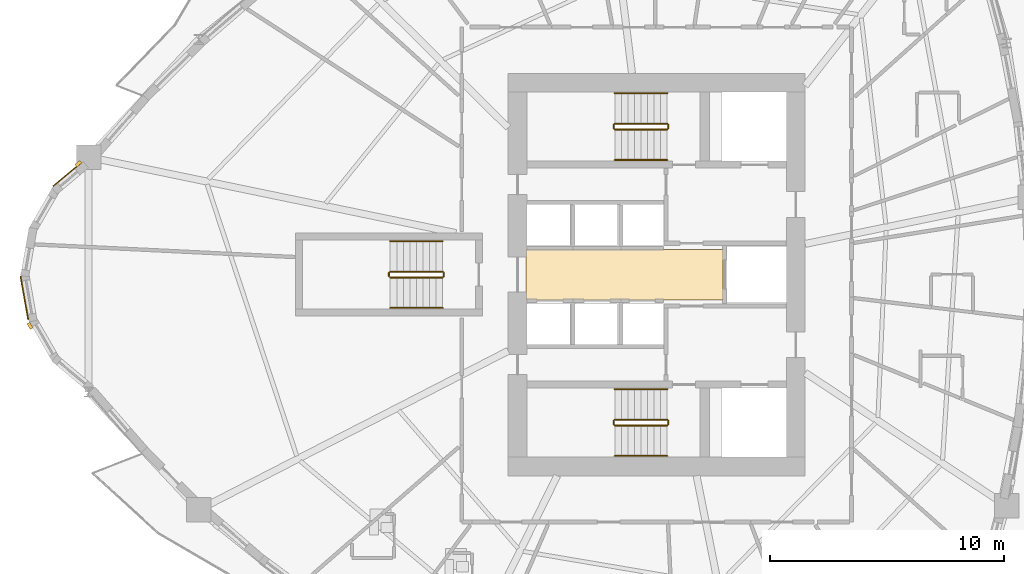
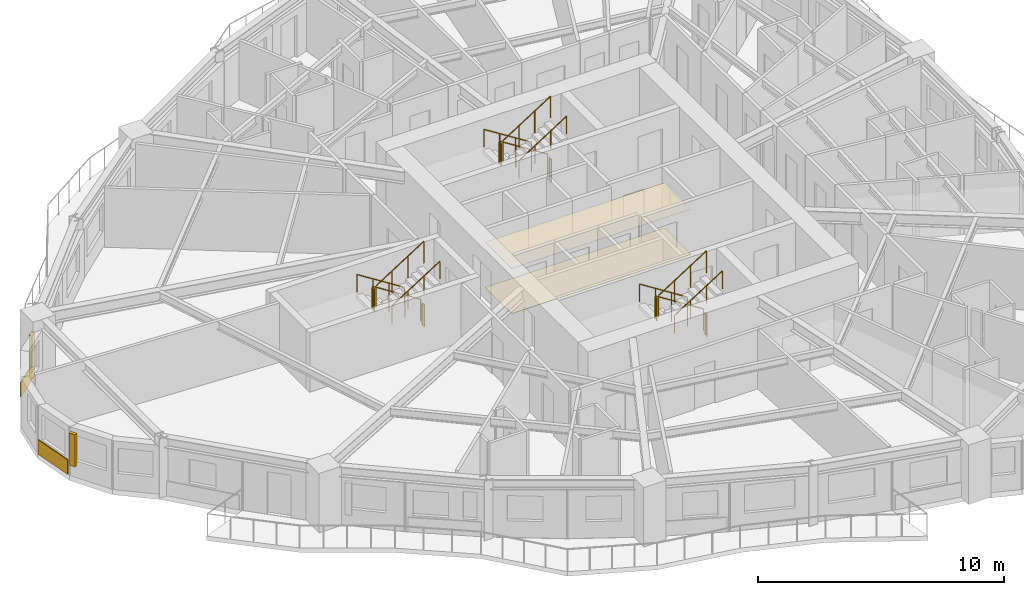
# One storey, part 12 of 14: 18 railings, 4 coverings, 2 shading devices.
"""IFC4 building model written with IfcOpenShell, lengths in metres."""

from ifc_helpers import new_model, si_unit, direction, frame, origin, origin_2d, place, context, subcontext, project, spatial, polyline, rectangle, circle, outline, extrude, source, transform, mapped, material, layer, layer_set, type_object, element, save


model = new_model("IFC4")

# Units and contexts
model_context = context("Model", 3, precision=1e-05, world=origin(), true_north=direction((0.0, 1.0)))
body_context = subcontext(model_context, "Body", "Model", "MODEL_VIEW")
ifc_project = project(units=[si_unit("LENGTHUNIT", "METRE"), si_unit("AREAUNIT", "SQUARE_METRE"), si_unit("VOLUMEUNIT", "CUBIC_METRE"), si_unit("PLANEANGLEUNIT", "RADIAN"), si_unit("MASSUNIT", "GRAM", prefix="KILO")], contexts=[model_context])

# Site, building, storey
site_placement = place(None, origin())
site = spatial("IfcSite", under=ifc_project, at=site_placement, CompositionType="ELEMENT")
building_placement = place(site_placement, origin())
building = spatial("IfcBuilding", under=site, at=building_placement, Name="Qafzar Sky-Pleat Residences", CompositionType="ELEMENT")
storey_placement = place(building_placement, frame((0.0, 0.0, 43.0)))
storey = spatial("IfcBuildingStorey", under=building, at=storey_placement, Name="L12", CompositionType="ELEMENT", Elevation=43.0)

# Coverings
ifc_material_1 = material(Name="Perforated acoustic gypsum board ceiling")
ifc_layer_1 = layer(ifc_material_1, 0.02001953125)
ifc_layer_set_1 = layer_set([ifc_layer_1], Name="Perforated acoustic gypsum board ceiling")
covering_type_1 = type_object("IfcCoveringType", Name="COV-CEIL-ACOUSTIC", PredefinedType="CEILING", material=ifc_layer_set_1)
covering_1_placement = place(storey_placement, frame((0.0, 0.0, 2.239990234375)))
element("IfcCovering", 1, at=covering_1_placement, inside=storey, type_object=covering_type_1, Name="L12 Passenger Lift Lobby Acoustic Ceiling", PredefinedType="CEILING", context=body_context, shape_type="SweptSolid", body=[
    extrude(outline(polyline([(33.179931640625, 24.919921875), (24.77001953125, 24.919921875), (24.77001953125, 27.080078125), (33.179931640625, 27.080078125), (33.179931640625, 24.919921875)])), origin(), (0.0, 0.0, 1.0), 0.02001953125),
])
ifc_material_2 = material(Name="Honed porcelain and Riyadh stone tile flooring", Category="masonry")
ifc_layer_2 = layer(ifc_material_2, 0.02001953125)
ifc_layer_set_2 = layer_set([ifc_layer_2], Name="Honed porcelain and Riyadh stone tile flooring")
covering_type_2 = type_object("IfcCoveringType", Name="COV-FLR-PORCELAIN", PredefinedType="FLOORING", material=ifc_layer_set_2)
covering_2_placement = place(storey_placement, origin())
element("IfcCovering", 2, at=covering_2_placement, inside=storey, type_object=covering_type_2, Name="L12 Passenger Lift Lobby Honed Stone Flooring", PredefinedType="FLOORING", context=body_context, shape_type="SweptSolid", body=[
    extrude(outline(polyline([(33.179931640625, 24.919921875), (24.77001953125, 24.919921875), (24.77001953125, 27.080078125), (33.179931640625, 27.080078125), (33.179931640625, 24.919921875)])), origin(), (0.0, 0.0, 1.0), 0.02001953125),
])
ifc_material_3 = material(Name="Honed Riyadh Tuwaiq limestone cladding", Category="masonry")
ifc_layer_3 = layer(ifc_material_3, 0.044921875)
ifc_layer_set_3 = layer_set([ifc_layer_3], Name="Honed Riyadh Tuwaiq limestone cladding")
covering_type_3 = type_object("IfcCoveringType", Name="COV-CLAD-STONE", PredefinedType="CLADDING", material=ifc_layer_set_3)
shared_shape_1 = source(origin(), body_context, "Body", "SweptSolid", [
    extrude(rectangle(XDim=1.5771484375, YDim=0.044921875, at=origin_2d()), origin(), (0.0, 0.0, 1.0), 0.719970703125),
])
covering_3_placement = place(storey_placement, frame((5.14990234375, 30.28369140625, 0.02001953125), z_axis=(0.0, 0.0, 1.0), x_axis=(-0.766074606481, -0.642751660678, 0.0)))
element("IfcCovering", 3, at=covering_3_placement, inside=storey, type_object=covering_type_3, Name="L12 Riyadh Limestone Spandrel Cladding 1", PredefinedType="CLADDING", context=body_context, shape_type="MappedRepresentation", body=[
    mapped(shared_shape_1, transform((0.0, 0.0, 0.0), x_axis=(1.0, 0.0, 0.0), y_axis=(0.0, 1.0, 0.0), z_axis=(0.0, 0.0, 1.0), scale=1.0)),
])

# Shading devices
ifc_material_4 = material(Name="Honed Riyadh limestone solar fin", Category="masonry")
ifc_layer_4 = layer(ifc_material_4, 0.139892578125)
ifc_layer_set_4 = layer_set([ifc_layer_4], Name="Honed Riyadh limestone solar fin")
shading_device_type = type_object("IfcShadingDeviceType", Name="SHD-FIN-STONE", PredefinedType="SHUTTER", material=ifc_layer_set_4)
shared_shape_2 = source(origin(), body_context, "Body", "SweptSolid", [
    extrude(rectangle(XDim=0.139892578125, YDim=0.280029296875, at=origin_2d()), origin(), (0.0, 0.0, 1.0), 1.60009765625),
])
for number, where, z_axis, x_axis, name in (
    (4, (5.627685546875, 30.740966796875, 0.599853515625), (0.0, 0.0, 1.0), (-0.642754210861, 0.76607246682, 0.0), "L12 Limestone Solar Fin 1"),
    (5, (3.5595703125, 23.80859375, 0.599853515625), (0.0, 0.0, 1.0), (-0.86604422228, -0.499967403994, 0.0), "L12 Limestone Solar Fin 5"),
):
    element("IfcShadingDevice", number, at=place(storey_placement, frame(where, z_axis=z_axis, x_axis=x_axis)), inside=storey, type_object=shading_device_type, Name=name, PredefinedType="SHUTTER", context=body_context, shape_type="MappedRepresentation", body=[
        mapped(shared_shape_2, transform((0.0, 0.0, 0.0), x_axis=(1.0, 0.0, 0.0), y_axis=(0.0, 1.0, 0.0), z_axis=(0.0, 0.0, 1.0), scale=1.0)),
    ])

# Covering
shared_shape_3 = source(origin(), body_context, "Body", "SweptSolid", [
    extrude(rectangle(XDim=1.88134765625, YDim=0.044921875, at=origin_2d()), origin(), (0.0, 0.0, 1.0), 0.719970703125),
])
covering_4_placement = place(storey_placement, frame((3.318115234375, 25.00439453125, 0.02001953125), z_axis=(0.0, 0.0, 1.0), x_axis=(0.173662519465, -0.984805224059, 0.0)))
element("IfcCovering", 6, at=covering_4_placement, inside=storey, type_object=covering_type_3, Name="L12 Riyadh Limestone Spandrel Cladding 4", PredefinedType="CLADDING", context=body_context, shape_type="MappedRepresentation", body=[
    mapped(shared_shape_3, transform((0.0, 0.0, 0.0), x_axis=(1.0, 0.0, 0.0), y_axis=(0.0, 1.0, 0.0), z_axis=(0.0, 0.0, 1.0), scale=1.0)),
])

# Railings
ifc_material_5 = material(Name="Painted Steel S355 stair guardrail", Category="steel")
railing_type_1 = type_object("IfcRailingType", Name="RAIL-STAIR-GUARD", PredefinedType="GUARDRAIL", material=ifc_material_5)
shared_shape_4 = source(origin(), body_context, "Body", "SweptSolid", [
    extrude(circle(Radius=0.02392578125, at=origin_2d()), frame((0.0, 0.0, 1.076171875), z_axis=(0.0, -1.0, 0.0), x_axis=(1.0, 0.0, 0.0)), (0.0, 0.0, 1.0), 0.14990234375),
    extrude(circle(Radius=0.02099609375, at=origin_2d()), origin(), (0.0, 0.0, 1.0), 1.052001953125),
    extrude(circle(Radius=0.02099609375, at=origin_2d()), frame((0.0, -0.14990234375, 0.0)), (0.0, 0.0, 1.0), 1.052001953125),
])
for number, where, name in (
    (7, (28.510009765625, 19.75, 1.60009765625), "L12 ST1 stair guard 2"),
    (8, (30.85009765625, 19.75, 0.0), "L12 ST1 stair guard 4"),
    (9, (28.510009765625, 32.39990234375, 1.60009765625), "L12 ST2 stair guard 2"),
    (10, (30.85009765625, 32.39990234375, 0.0), "L12 ST2 stair guard 4"),
    (11, (18.909912109375, 26.074951171875, 1.60009765625), "L12 ST3 stair guard 2"),
    (12, (21.25, 26.074951171875, 0.0), "L12 ST3 stair guard 4"),
):
    element("IfcRailing", number, at=place(storey_placement, frame(where)), inside=storey, type_object=railing_type_1, Name=name, PredefinedType="GUARDRAIL", context=body_context, shape_type="MappedRepresentation", body=[
        mapped(shared_shape_4, transform((0.0, 0.0, 0.0), x_axis=(1.0, 0.0, 0.0), y_axis=(0.0, 1.0, 0.0), z_axis=(0.0, 0.0, 1.0), scale=1.0)),
    ])
shared_shape_5 = source(origin(), body_context, "Body", "SweptSolid", [
    extrude(circle(Radius=0.02392578125, at=origin_2d()), frame((0.0, 0.0, 1.076171875), z_axis=(0.8442293374, 0.0, 0.53598211339), x_axis=(0.0, 1.0, 0.0)), (0.0, 0.0, 1.0), 2.6533203125),
    extrude(circle(Radius=0.02099609375, at=origin_2d()), origin(), (0.0, 0.0, 1.0), 1.052001953125),
    extrude(circle(Radius=0.02099609375, at=origin_2d()), frame((0.74658203125, 0.0, 0.47412109375)), (0.0, 0.0, 1.0), 1.052001953125),
    extrude(circle(Radius=0.02099609375, at=origin_2d()), frame((1.493408203125, 0.0, 0.947998046875)), (0.0, 0.0, 1.0), 1.052001953125),
    extrude(circle(Radius=0.02099609375, at=origin_2d()), frame((2.239990234375, 0.0, 1.422119140625)), (0.0, 0.0, 1.0), 1.052001953125),
])
for number, where, name in (
    (13, (28.56005859375, 19.550048828125, 1.77783203125), "L12 ST1 stair guard 3"),
    (14, (28.56005859375, 32.199951171875, 1.77783203125), "L12 ST2 stair guard 3"),
    (15, (18.9599609375, 25.875, 1.77783203125), "L12 ST3 stair guard 3"),
):
    element("IfcRailing", number, at=place(storey_placement, frame(where)), inside=storey, type_object=railing_type_1, Name=name, PredefinedType="GUARDRAIL", context=body_context, shape_type="MappedRepresentation", body=[
        mapped(shared_shape_5, transform((0.0, 0.0, 0.0), x_axis=(1.0, 0.0, 0.0), y_axis=(0.0, 1.0, 0.0), z_axis=(0.0, 0.0, 1.0), scale=1.0)),
    ])
ifc_material_6 = material(Name="Brushed stainless steel handrail", Category="steel")
railing_type_2 = type_object("IfcRailingType", Name="RAIL-STAIR-HAND", PredefinedType="HANDRAIL", material=ifc_material_6)
shared_shape_6 = source(origin(), body_context, "Body", "SweptSolid", [
    extrude(circle(Radius=0.02392578125, at=origin_2d()), frame((0.0, 0.0, 0.8759765625), z_axis=(0.8442293374, 0.0, 0.53598211339), x_axis=(0.0, 1.0, 0.0)), (0.0, 0.0, 1.0), 2.6533203125),
    extrude(circle(Radius=0.02099609375, at=origin_2d()), origin(), (0.0, 0.0, 1.0), 0.851806640625),
    extrude(circle(Radius=0.02099609375, at=origin_2d()), frame((0.74658203125, 0.0, 0.47412109375)), (0.0, 0.0, 1.0), 0.851806640625),
    extrude(circle(Radius=0.02099609375, at=origin_2d()), frame((1.493408203125, 0.0, 0.947998046875)), (0.0, 0.0, 1.0), 0.851806640625),
    extrude(circle(Radius=0.02099609375, at=origin_2d()), frame((2.239990234375, 0.0, 1.422119140625)), (0.0, 0.0, 1.0), 0.851806640625),
])
for number, where, name in (
    (16, (28.56005859375, 18.25, 1.77783203125), "L12 ST1 stair handrail 2"),
    (17, (28.56005859375, 30.89990234375, 1.77783203125), "L12 ST2 stair handrail 2"),
    (18, (18.9599609375, 24.574951171875, 1.77783203125), "L12 ST3 stair handrail 2"),
):
    element("IfcRailing", number, at=place(storey_placement, frame(where)), inside=storey, type_object=railing_type_2, Name=name, PredefinedType="HANDRAIL", context=body_context, shape_type="MappedRepresentation", body=[
        mapped(shared_shape_6, transform((0.0, 0.0, 0.0), x_axis=(1.0, 0.0, 0.0), y_axis=(0.0, 1.0, 0.0), z_axis=(0.0, 0.0, 1.0), scale=1.0)),
    ])
shared_shape_7 = source(origin(), body_context, "Body", "SweptSolid", [
    extrude(circle(Radius=0.02392578125, at=origin_2d()), frame((0.0, 0.0, 1.076171875), z_axis=(-0.84418770128, 0.0, 0.536047689118), x_axis=(0.0, -1.0, 0.0)), (0.0, 0.0, 1.0), 2.6533203125),
    extrude(circle(Radius=0.02099609375, at=origin_2d()), origin(), (0.0, 0.0, 1.0), 1.052001953125),
    extrude(circle(Radius=0.02099609375, at=origin_2d()), frame((-0.74658203125, 0.0, 0.47412109375)), (0.0, 0.0, 1.0), 1.052001953125),
    extrude(circle(Radius=0.02099609375, at=origin_2d()), frame((-1.493408203125, 0.0, 0.9482421875)), (0.0, 0.0, 1.0), 1.052001953125),
    extrude(circle(Radius=0.02099609375, at=origin_2d()), frame((-2.239990234375, 0.0, 1.42236328125)), (0.0, 0.0, 1.0), 1.052001953125),
])
for number, where, name in (
    (19, (30.800048828125, 19.800048828125, 0.177734375), "L12 ST1 stair guard 1"),
    (20, (30.800048828125, 32.449951171875, 0.177734375), "L12 ST2 stair guard 1"),
    (21, (21.199951171875, 26.125, 0.177734375), "L12 ST3 stair guard 1"),
):
    element("IfcRailing", number, at=place(storey_placement, frame(where)), inside=storey, type_object=railing_type_1, Name=name, PredefinedType="GUARDRAIL", context=body_context, shape_type="MappedRepresentation", body=[
        mapped(shared_shape_7, transform((0.0, 0.0, 0.0), x_axis=(1.0, 0.0, 0.0), y_axis=(0.0, 1.0, 0.0), z_axis=(0.0, 0.0, 1.0), scale=1.0)),
    ])
shared_shape_8 = source(origin(), body_context, "Body", "SweptSolid", [
    extrude(circle(Radius=0.02392578125, at=origin_2d()), frame((0.0, 0.0, 0.8759765625), z_axis=(-0.84418770128, 0.0, 0.536047689118), x_axis=(0.0, -1.0, 0.0)), (0.0, 0.0, 1.0), 2.6533203125),
    extrude(circle(Radius=0.02099609375, at=origin_2d()), origin(), (0.0, 0.0, 1.0), 0.851806640625),
    extrude(circle(Radius=0.02099609375, at=origin_2d()), frame((-0.74658203125, 0.0, 0.47412109375)), (0.0, 0.0, 1.0), 0.851806640625),
    extrude(circle(Radius=0.02099609375, at=origin_2d()), frame((-1.493408203125, 0.0, 0.9482421875)), (0.0, 0.0, 1.0), 0.851806640625),
    extrude(circle(Radius=0.02099609375, at=origin_2d()), frame((-2.239990234375, 0.0, 1.42236328125)), (0.0, 0.0, 1.0), 0.851806640625),
])
for number, where, name in (
    (22, (30.800048828125, 21.10009765625, 0.177734375), "L12 ST1 stair handrail 1"),
    (23, (30.800048828125, 33.75, 0.177734375), "L12 ST2 stair handrail 1"),
    (24, (21.199951171875, 27.425048828125, 0.177734375), "L12 ST3 stair handrail 1"),
):
    element("IfcRailing", number, at=place(storey_placement, frame(where)), inside=storey, type_object=railing_type_2, Name=name, PredefinedType="HANDRAIL", context=body_context, shape_type="MappedRepresentation", body=[
        mapped(shared_shape_8, transform((0.0, 0.0, 0.0), x_axis=(1.0, 0.0, 0.0), y_axis=(0.0, 1.0, 0.0), z_axis=(0.0, 0.0, 1.0), scale=1.0)),
    ])

save(model, "model.ifc")
